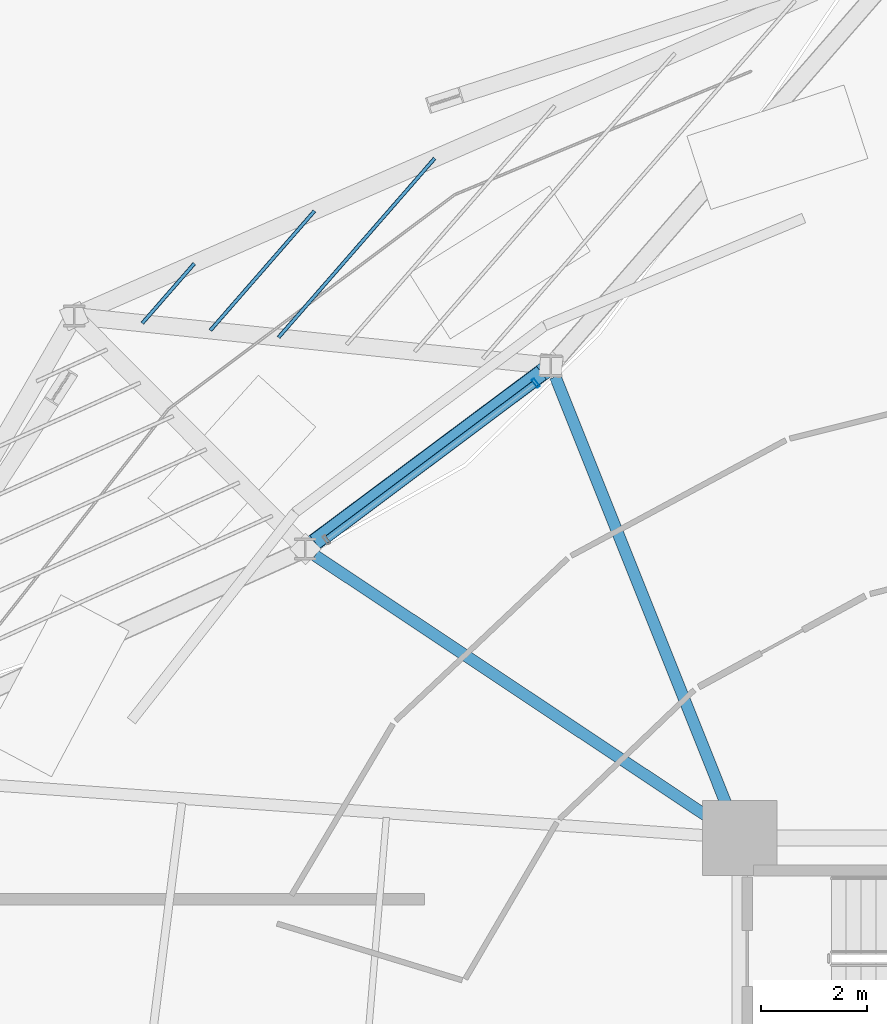
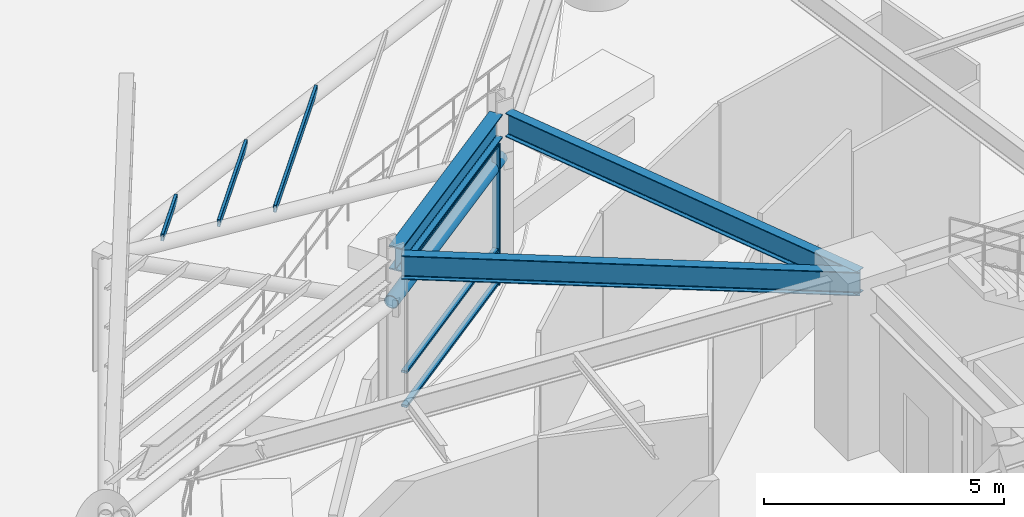
# One storey, part 23 of 40: 8 members, 3 beams, 1 element without a shape of its own.
"""IFC4 building model written with IfcOpenShell, lengths in metres."""

from ifc_helpers import new_model, si_unit, direction, frame, origin, origin_2d, place, context, subcontext, project, spatial, hollow_rectangle, hollow_circle, i_section, extrude, material, layer, layer_set, material_profile, profile_set, type_object, element, aggregate, save


model = new_model("IFC4")

# Units and contexts
model_context = context("Model", 3, precision=1e-05, world=origin(), true_north=direction((0.0, 1.0)))
body_context = subcontext(model_context, "Body", "Model", "MODEL_VIEW")
ifc_project = project(units=[si_unit("LENGTHUNIT", "METRE"), si_unit("AREAUNIT", "SQUARE_METRE"), si_unit("VOLUMEUNIT", "CUBIC_METRE"), si_unit("PLANEANGLEUNIT", "RADIAN"), si_unit("MASSUNIT", "GRAM", prefix="KILO")], contexts=[model_context])

# Site, building, storey
site_placement = place(None, origin())
site = spatial("IfcSite", under=ifc_project, at=site_placement, CompositionType="ELEMENT")
building_placement = place(site_placement, origin())
building = spatial("IfcBuilding", under=site, at=building_placement, Name="Kelanora Arch Commons", CompositionType="ELEMENT")
storey_placement = place(building_placement, origin())
storey = spatial("IfcBuildingStorey", under=building, at=storey_placement, Name="L00", CompositionType="ELEMENT", Elevation=0.0)

# Beams
ifc_material_1 = material(Name="Steel S355", Category="steel")
ifc_material_profile_1 = material_profile(ifc_material_1, i_section(OverallWidth=0.219970703125, OverallDepth=0.60009765625, WebThickness=0.011962890625, FlangeThickness=0.01904296875, FilletRadius=0.02392578125, at=origin_2d()), Name="IPE600")
ifc_profile_set_1 = profile_set([ifc_material_profile_1], Name="Steel S355")
beam_type_1 = type_object("IfcBeamType", Name="BM-RAD-Z1", PredefinedType="BEAM", material=ifc_profile_set_1)
beam_1_placement = place(storey_placement, frame((66.0, 65.0, 3.89990234375), z_axis=(-0.371300433106, 0.928512783098, 0.0), x_axis=(-0.928512783098, -0.371300433106, 0.0)))
element("IfcBeam", 1, at=beam_1_placement, inside=storey, type_object=beam_type_1, Name="Radial Floor Girder BR-12 L00", PredefinedType="BEAM", context=body_context, shape_type="SweptSolid", body=[
    extrude(i_section(OverallWidth=0.219970703125, OverallDepth=0.60009765625, WebThickness=0.011962890625, FlangeThickness=0.01904296875, FilletRadius=0.02392578125, at=origin_2d()), origin(), (0.0, 0.0, 1.0), 9.3291015625),
])
beam_2_placement = place(storey_placement, frame((66.0, 65.0, 3.89990234375), z_axis=(-0.832598981909, 0.553876281605, 0.0), x_axis=(-0.553876281605, -0.832598981909, 0.0)))
element("IfcBeam", 2, at=beam_2_placement, inside=storey, type_object=beam_type_1, Name="Radial Floor Girder BR-14 L00", PredefinedType="BEAM", context=body_context, shape_type="SweptSolid", body=[
    extrude(i_section(OverallWidth=0.219970703125, OverallDepth=0.60009765625, WebThickness=0.011962890625, FlangeThickness=0.01904296875, FilletRadius=0.02392578125, at=origin_2d()), origin(), (0.0, 0.0, 1.0), 9.576416015625),
])
ifc_material_profile_2 = material_profile(ifc_material_1, i_section(OverallWidth=0.300048828125, OverallDepth=0.60009765625, WebThickness=0.015380859375, FlangeThickness=0.030029296875, FilletRadius=0.027099609375, at=origin_2d()), Name="HEB600")
ifc_profile_set_2 = profile_set([ifc_material_profile_2], Name="Steel S355")
beam_type_2 = type_object("IfcBeamType", Name="BM-SPN-Z1", PredefinedType="SPANDREL", material=ifc_profile_set_2)
beam_3_placement = place(storey_placement, frame((62.278076171875, 73.73486328125, 3.89990234375), z_axis=(-0.801486366257, -0.598013047269, 0.0), x_axis=(0.598013047269, -0.801486366257, 0.0)))
element("IfcBeam", 3, at=beam_3_placement, inside=storey, type_object=beam_type_2, Name="Perimeter Spandrel Beam BS-12 L00", PredefinedType="SPANDREL", context=body_context, shape_type="SweptSolid", body=[
    extrude(i_section(OverallWidth=0.300048828125, OverallDepth=0.60009765625, WebThickness=0.015380859375, FlangeThickness=0.030029296875, FilletRadius=0.027099609375, at=origin_2d()), origin(), (0.0, 0.0, 1.0), 5.31298828125),
])

# Curtain wall, members
ifc_material_2 = material(Name="Terracotta ceramic-fritted low-E glass and aluminium", Category="masonry")
ifc_layer = layer(ifc_material_2, 0.2099609375)
ifc_layer_set = layer_set([ifc_layer], Name="Terracotta ceramic-fritted low-E glass and aluminium")
curtain_wall_type = type_object("IfcCurtainWallType", Name="CW-SYS-04", PredefinedType="NOTDEFINED", material=ifc_layer_set)
curtain_wall_placement = place(storey_placement, origin())
curtain_wall = element("IfcCurtainWall", 4, at=curtain_wall_placement, inside=storey, type_object=curtain_wall_type, Name="Unitised Curtain Wall L00-B06", PredefinedType="NOTDEFINED")
ifc_material_3 = material(Name="Powder-coated aluminium terracotta", Category="masonry")
ifc_material_profile_3 = material_profile(ifc_material_3, hollow_rectangle(XDim=0.179931640625, YDim=0.06005859375, WallThickness=0.0048828125, InnerFilletRadius=0.0048828125, OuterFilletRadius=0.010009765625, at=origin_2d()), Name="CWM180x60")
ifc_profile_set_3 = profile_set([ifc_material_profile_3], Name="Powder-coated aluminium terracotta")
member_type_1 = type_object("IfcMemberType", Name="CWM-HVY", PredefinedType="MULLION", material=ifc_profile_set_3)
member_1_placement = place(storey_placement, frame((62.169189453125, 73.54150390625, 0.0), z_axis=(0.0, 0.0, 1.0), x_axis=(0.599587813185, -0.80030897426, 0.0)))
member_1 = element("IfcMember", 5, at=member_1_placement, type_object=member_type_1, Name="CW-04 mullion 1", PredefinedType="MULLION", context=body_context, shape_type="SweptSolid", body=[
    extrude(hollow_rectangle(XDim=0.179931640625, YDim=0.06005859375, WallThickness=0.0048828125, InnerFilletRadius=0.0048828125, OuterFilletRadius=0.010009765625, at=origin_2d()), origin(), (0.0, 0.0, 1.0), 3.580078125),
])
ifc_material_profile_4 = material_profile(ifc_material_3, hollow_rectangle(XDim=0.139892578125, YDim=0.06005859375, WallThickness=0.0048828125, InnerFilletRadius=0.0048828125, OuterFilletRadius=0.010009765625, at=origin_2d()), Name="CWT140x60")
ifc_profile_set_4 = profile_set([ifc_material_profile_4], Name="Powder-coated aluminium terracotta")
member_type_2 = type_object("IfcMemberType", Name="CWT-HVY", PredefinedType="USERDEFINED", material=ifc_profile_set_4)
member_2_placement = place(storey_placement, frame((62.145263671875, 73.5234375, 0.030029296875), z_axis=(-0.800307995736, -0.599589119281, 0.0), x_axis=(0.599589119281, -0.800307995736, 0.0)))
member_2 = element("IfcMember", 6, at=member_2_placement, type_object=member_type_2, Name="CW-04 transom 1.1", ObjectType="TRANSOM", PredefinedType="USERDEFINED", context=body_context, shape_type="SweptSolid", body=[
    extrude(hollow_rectangle(XDim=0.139892578125, YDim=0.06005859375, WallThickness=0.0048828125, InnerFilletRadius=0.0048828125, OuterFilletRadius=0.010009765625, at=origin_2d()), origin(), (0.0, 0.0, 1.0), 4.849609375),
])
member_3_placement = place(storey_placement, frame((62.145263671875, 73.5234375, 0.89990234375), z_axis=(-0.800307995736, -0.599589119281, 0.0), x_axis=(0.599589119281, -0.800307995736, 0.0)))
member_3 = element("IfcMember", 7, at=member_3_placement, type_object=member_type_2, Name="CW-04 transom 1.2", ObjectType="TRANSOM", PredefinedType="USERDEFINED", context=body_context, shape_type="SweptSolid", body=[
    extrude(hollow_rectangle(XDim=0.139892578125, YDim=0.06005859375, WallThickness=0.0048828125, InnerFilletRadius=0.0048828125, OuterFilletRadius=0.010009765625, at=origin_2d()), origin(), (0.0, 0.0, 1.0), 4.849609375),
])
member_4_placement = place(storey_placement, frame((62.145263671875, 73.5234375, 3.550048828125), z_axis=(-0.800307995736, -0.599589119281, 0.0), x_axis=(0.599589119281, -0.800307995736, 0.0)))
member_4 = element("IfcMember", 8, at=member_4_placement, type_object=member_type_2, Name="CW-04 transom 1.3", ObjectType="TRANSOM", PredefinedType="USERDEFINED", context=body_context, shape_type="SweptSolid", body=[
    extrude(hollow_rectangle(XDim=0.139892578125, YDim=0.06005859375, WallThickness=0.0048828125, InnerFilletRadius=0.0048828125, OuterFilletRadius=0.010009765625, at=origin_2d()), origin(), (0.0, 0.0, 1.0), 4.849609375),
])
aggregate(curtain_wall, [member_1, member_2, member_3, member_4])

# Members
ifc_material_profile_5 = material_profile(ifc_material_1, hollow_circle(Radius=0.161865234375, WallThickness=0.01611328125, at=origin_2d()), Name="CHS323.9x16")
ifc_profile_set_5 = profile_set([ifc_material_profile_5], Name="Steel S355")
member_type_3 = type_object("IfcMemberType", Name="MEM-MKT-CHORD", PredefinedType="CHORD", material=ifc_profile_set_5)
member_5_placement = place(storey_placement, frame((62.454345703125, 73.866455078125, 2.93994140625), z_axis=(-0.801474401239, -0.598029083038, 0.0), x_axis=(0.598029083038, -0.801474401239, 0.0)))
element("IfcMember", 9, at=member_5_placement, inside=storey, type_object=member_type_3, Name="Planted Courtyard Pergola Chord NW-M1", PredefinedType="CHORD", context=body_context, shape_type="SweptSolid", body=[
    extrude(hollow_circle(Radius=0.161865234375, WallThickness=0.01611328125, at=origin_2d()), origin(), (0.0, 0.0, 1.0), 5.7529296875),
])
ifc_material_profile_6 = material_profile(ifc_material_1, hollow_rectangle(XDim=0.070068359375, YDim=0.179931640625, WallThickness=0.0048828125, InnerFilletRadius=0.0048828125, OuterFilletRadius=0.010009765625, at=origin_2d()), Name="RHS180x70x5")
ifc_profile_set_6 = profile_set([ifc_material_profile_6], Name="Steel S355")
member_type_4 = type_object("IfcMemberType", Name="MEM-MKT-PURLIN", PredefinedType="PURLIN", material=ifc_profile_set_6)
member_6_placement = place(storey_placement, frame((60.2705078125, 77.76318359375, 3.080078125), z_axis=(-0.657233231733, -0.753687255502, 0.0), x_axis=(0.753687255502, -0.657233231733, 0.0)))
element("IfcMember", 10, at=member_6_placement, inside=storey, type_object=member_type_4, Name="Courtyard Garden Trellis Blade NW-A4", PredefinedType="PURLIN", context=body_context, shape_type="SweptSolid", body=[
    extrude(hollow_rectangle(XDim=0.070068359375, YDim=0.179931640625, WallThickness=0.0048828125, InnerFilletRadius=0.0048828125, OuterFilletRadius=0.010009765625, at=origin_2d()), origin(), (0.0, 0.0, 1.0), 4.46240234375),
])
member_7_placement = place(storey_placement, frame((58.013671875, 76.775390625, 3.080078125), z_axis=(-0.657248770218, -0.753673705291, 0.0), x_axis=(0.753673705291, -0.657248770218, 0.0)))
element("IfcMember", 11, at=member_7_placement, inside=storey, type_object=member_type_4, Name="Courtyard Garden Trellis Blade NW-A5", PredefinedType="PURLIN", context=body_context, shape_type="SweptSolid", body=[
    extrude(hollow_rectangle(XDim=0.070068359375, YDim=0.179931640625, WallThickness=0.0048828125, InnerFilletRadius=0.0048828125, OuterFilletRadius=0.010009765625, at=origin_2d()), origin(), (0.0, 0.0, 1.0), 2.97509765625),
])
member_8_placement = place(storey_placement, frame((55.7568359375, 75.78759765625, 3.080078125), z_axis=(-0.657202152248, -0.753714356424, 0.0), x_axis=(0.753714356424, -0.657202152248, 0.0)))
element("IfcMember", 12, at=member_8_placement, inside=storey, type_object=member_type_4, Name="Courtyard Garden Trellis Blade NW-A6", PredefinedType="PURLIN", context=body_context, shape_type="SweptSolid", body=[
    extrude(hollow_rectangle(XDim=0.070068359375, YDim=0.179931640625, WallThickness=0.0048828125, InnerFilletRadius=0.0048828125, OuterFilletRadius=0.010009765625, at=origin_2d()), origin(), (0.0, 0.0, 1.0), 1.4873046875),
])

save(model, "model.ifc")
